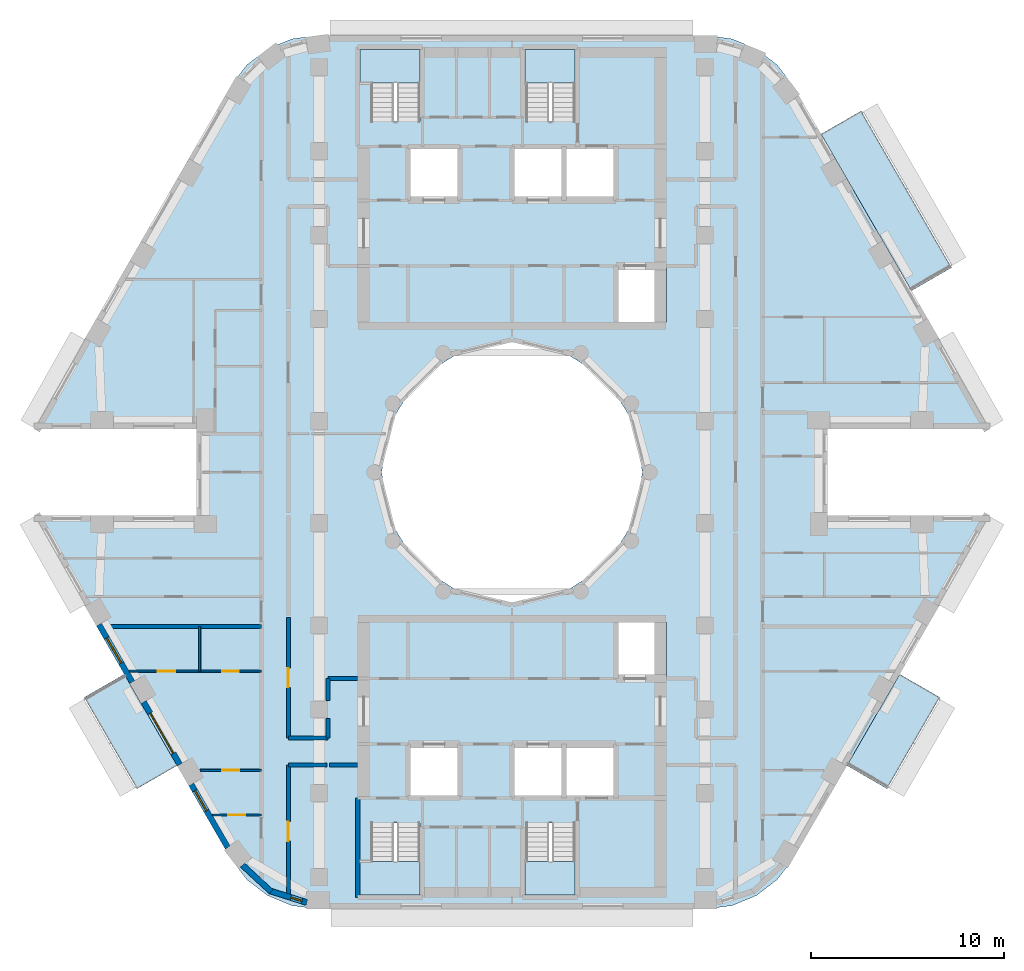
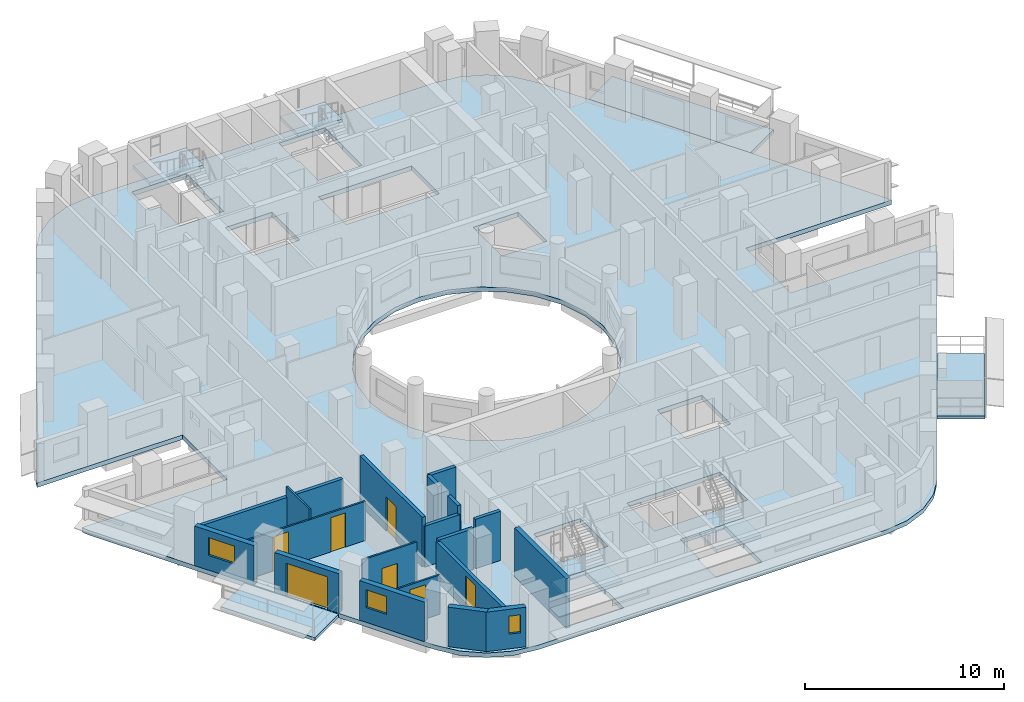
# One storey, part 2 of 18: 19 walls, 8 slabs, 7 doors, 3 windows, 10 openings, 4 elements without a shape of their own.
"""IFC4 building model written with IfcOpenShell, lengths in metres."""

from ifc_helpers import new_model, si_unit, direction, frame, frame_2d, origin, place, context, subcontext, project, spatial, polyline, rectangle, outline, extrude, material, layer, layer_set, type_object, element, fill, aggregate, save


model = new_model("IFC4")

# Units and contexts
model_context = context("Model", 3, precision=1e-05, world=origin(), true_north=direction((0.0, 1.0)))
body_context = subcontext(model_context, "Body", "Model", "MODEL_VIEW")
ifc_project = project(units=[si_unit("LENGTHUNIT", "METRE"), si_unit("AREAUNIT", "SQUARE_METRE"), si_unit("VOLUMEUNIT", "CUBIC_METRE"), si_unit("PLANEANGLEUNIT", "RADIAN"), si_unit("MASSUNIT", "GRAM", prefix="KILO")], contexts=[model_context])

# Site, building, storey
site_placement = place(None, origin())
site = spatial("IfcSite", under=ifc_project, at=site_placement, CompositionType="ELEMENT")
building_placement = place(site_placement, origin())
building = spatial("IfcBuilding", under=site, at=building_placement, Name="Nakaniwa Court", CompositionType="ELEMENT")
storey_placement = place(building_placement, frame((0.0, 0.0, 180.0)))
storey = spatial("IfcBuildingStorey", under=building, at=storey_placement, Name="L46", CompositionType="ELEMENT", Elevation=180.0)

# Slabs
ifc_material_1 = material(Name="Charcoal ceramic paver")
ifc_layer_1 = layer(ifc_material_1, 0.02, Name="Ceramic paver")
ifc_material_2 = material(Name="Cement sand screed")
ifc_layer_2 = layer(ifc_material_2, 0.03, Name="Falls screed")
ifc_material_3 = material(Name="Concrete C40/50", Category="concrete")
ifc_layer_3 = layer(ifc_material_3, 0.15, Name="Balcony slab")
ifc_layer_set_1 = layer_set([ifc_layer_1, ifc_layer_2, ifc_layer_3], Name="Concrete C40/50 balcony slab with ceramic paver finish")
slab_type_1 = type_object("IfcSlabType", Name="Balcony slab 200", PredefinedType="FLOOR", material=ifc_layer_set_1)
slab_1_placement = place(storey_placement, frame((0.0, 0.0, -0.25)))
element("IfcSlab", 1, at=slab_1_placement, inside=storey, type_object=slab_type_1, Name="L46 balcony 01", PredefinedType="FLOOR", context=body_context, shape_type="SweptSolid", body=[
    extrude(outline(polyline([(59.893798828125, 69.52490234375), (62.629150390625, 64.787353515625), (60.55078125, 63.58740234375), (57.815185546875, 68.324951171875), (59.893798828125, 69.52490234375)])), origin(), (0.0, 0.0, 1.0), 0.199951171875),
])
slab_2_placement = place(storey_placement, frame((0.0, 0.0, -0.25)))
element("IfcSlab", 2, at=slab_2_placement, inside=storey, type_object=slab_type_1, Name="L46 balcony 02", PredefinedType="FLOOR", context=body_context, shape_type="SweptSolid", body=[
    extrude(outline(polyline([(97.37109375, 64.787353515625), (100.106201171875, 69.52490234375), (102.184814453125, 68.324951171875), (99.449462890625, 63.58740234375), (97.37109375, 64.787353515625)])), origin(), (0.0, 0.0, 1.0), 0.199951171875),
])
slab_3_placement = place(storey_placement, frame((0.0, 0.0, -0.25)))
element("IfcSlab", 3, at=slab_3_placement, inside=storey, type_object=slab_type_1, Name="L46 balcony 03", PredefinedType="FLOOR", context=body_context, shape_type="SweptSolid", body=[
    extrude(outline(polyline([(100.71923828125, 89.41357421875), (96.02978515625, 97.53564453125), (98.108154296875, 98.735595703125), (102.797607421875, 90.613525390625), (100.71923828125, 89.41357421875)])), origin(), (0.0, 0.0, 1.0), 0.199951171875),
])
ifc_material_4 = material(Name="Concrete C80/100", Category="concrete")
ifc_layer_4 = layer(ifc_material_4, 0.27490234375)
ifc_layer_set_2 = layer_set([ifc_layer_4], Name="Concrete C80/100")
slab_type_2 = type_object("IfcSlabType", Name="Concrete C80/100 post tensioned floor slab 275", PredefinedType="FLOOR", material=ifc_layer_set_2)
slab_4_placement = place(storey_placement, frame((0.0, 0.0, -0.27490234375)))
element("IfcSlab", 4, at=slab_4_placement, inside=storey, type_object=slab_type_2, Name="FLOOR SLAB", PredefinedType="FLOOR", context=body_context, shape_type="SweptSolid", body=[
    extrude(outline(polyline([(96.349609375, 82.25), (104.7978515625, 82.25), (104.65283203125, 82.60009765625), (94.578125, 100.050048828125), (93.751708984375, 101.126953125), (92.6748046875, 101.953369140625), (91.420654296875, 102.472900390625), (90.07470703125, 102.64990234375), (69.92529296875, 102.64990234375), (68.579345703125, 102.472900390625), (67.3251953125, 101.953369140625), (66.248291015625, 101.126953125), (65.421875, 100.050048828125), (55.34716796875, 82.60009765625), (55.2021484375, 82.25), (63.650390625, 82.25), (63.650390625, 77.75), (55.2021484375, 77.75), (55.34716796875, 77.39990234375), (65.421875, 59.949951171875), (66.248291015625, 58.873046875), (67.3251953125, 58.046630859375), (68.579345703125, 57.527099609375), (69.92529296875, 57.35009765625), (90.07470703125, 57.35009765625), (91.420654296875, 57.527099609375), (92.6748046875, 58.046630859375), (93.751708984375, 58.873046875), (94.578125, 59.949951171875), (104.65283203125, 77.39990234375), (104.7978515625, 77.75), (96.349609375, 77.75), (96.349609375, 82.25)]), holes=[polyline([(81.501953125, 86.580810546875), (80.0, 86.75), (78.498046875, 86.580810546875), (77.0712890625, 86.08154296875), (75.79150390625, 85.27734375), (74.72265625, 84.20849609375), (73.91845703125, 82.9287109375), (73.419189453125, 81.501953125), (73.25, 80.0), (73.419189453125, 78.498046875), (73.91845703125, 77.0712890625), (74.72265625, 75.79150390625), (75.79150390625, 74.72265625), (77.0712890625, 73.91845703125), (78.498046875, 73.419189453125), (80.0, 73.25), (81.501953125, 73.419189453125), (82.9287109375, 73.91845703125), (84.20849609375, 74.72265625), (85.27734375, 75.79150390625), (86.08154296875, 77.0712890625), (86.580810546875, 78.498046875), (86.75, 80.0), (86.580810546875, 81.501953125), (86.08154296875, 82.9287109375), (85.27734375, 84.20849609375), (84.20849609375, 85.27734375), (82.9287109375, 86.08154296875), (81.501953125, 86.580810546875)]), polyline([(72.675048828125, 61.81005859375), (72.675048828125, 59.864990234375), (72.0849609375, 59.864990234375), (72.0849609375, 58.034912109375), (75.264892578125, 58.034912109375), (75.264892578125, 59.864990234375), (75.22509765625, 59.864990234375), (75.22509765625, 61.81005859375), (72.675048828125, 61.81005859375)]), polyline([(77.300048828125, 65.89990234375), (74.60009765625, 65.89990234375), (74.60009765625, 63.10009765625), (77.300048828125, 63.10009765625), (77.300048828125, 65.89990234375)]), polyline([(80.0, 65.89990234375), (80.0, 63.10009765625), (82.699951171875, 63.10009765625), (85.39990234375, 63.10009765625), (85.39990234375, 65.89990234375), (82.699951171875, 65.89990234375), (80.0, 65.89990234375)]), polyline([(77.300048828125, 96.89990234375), (74.60009765625, 96.89990234375), (74.60009765625, 94.10009765625), (77.300048828125, 94.10009765625), (77.300048828125, 96.89990234375)]), polyline([(80.0, 96.89990234375), (80.0, 94.10009765625), (82.699951171875, 94.10009765625), (85.39990234375, 94.10009765625), (85.39990234375, 96.89990234375), (82.699951171875, 96.89990234375), (80.0, 96.89990234375)]), polyline([(75.264892578125, 100.135009765625), (75.264892578125, 101.965087890625), (72.0849609375, 101.965087890625), (72.0849609375, 100.135009765625), (72.675048828125, 100.135009765625), (72.675048828125, 98.18994140625), (75.22509765625, 98.18994140625), (75.22509765625, 100.135009765625), (75.264892578125, 100.135009765625)]), polyline([(83.27490234375, 61.81005859375), (80.72509765625, 61.81005859375), (80.72509765625, 59.864990234375), (80.635009765625, 59.864990234375), (80.635009765625, 58.034912109375), (83.31494140625, 58.034912109375), (83.31494140625, 59.864990234375), (83.27490234375, 59.864990234375), (83.27490234375, 61.81005859375)]), polyline([(88.0, 72.199951171875), (85.39990234375, 72.199951171875), (85.39990234375, 69.300048828125), (88.0, 69.300048828125), (88.0, 72.199951171875)]), polyline([(88.0, 90.699951171875), (85.39990234375, 90.699951171875), (85.39990234375, 87.800048828125), (88.0, 87.800048828125), (88.0, 90.699951171875)]), polyline([(83.31494140625, 100.135009765625), (83.31494140625, 101.965087890625), (80.635009765625, 101.965087890625), (80.635009765625, 100.135009765625), (80.72509765625, 100.135009765625), (80.72509765625, 98.18994140625), (83.27490234375, 98.18994140625), (83.27490234375, 100.135009765625), (83.31494140625, 100.135009765625)])]), origin(), (0.0, 0.0, 1.0), 0.27490234375),
])

# Stair, slab
stair_type = type_object("IfcStairType", Name="Dog leg stair 1200 wide 18 risers", PredefinedType="HALF_TURN_STAIR", material=ifc_material_4)
stair_1_placement = place(storey_placement, origin())
stair_1 = element("IfcStair", 5, at=stair_1_placement, inside=storey, type_object=stair_type, Name="L46 Stair ST1", PredefinedType="HALF_TURN_STAIR")
ifc_layer_5 = layer(ifc_material_4, 0.199951171875)
ifc_layer_set_3 = layer_set([ifc_layer_5], Name="Concrete C80/100")
slab_type_3 = type_object("IfcSlabType", Name="Stair landing concrete", PredefinedType="LANDING", material=ifc_layer_set_3)
slab_5_placement = place(storey_placement, frame((0.0, 0.0, 1.449951171875)))
slab_5 = element("IfcSlab", 6, at=slab_5_placement, type_object=slab_type_3, Name="ST1 landing 1", PredefinedType="LANDING", context=body_context, shape_type="SweptSolid", body=[
    extrude(outline(polyline([(75.22509765625, 100.175048828125), (75.22509765625, 101.925048828125), (72.125, 101.925048828125), (72.125, 100.175048828125), (75.22509765625, 100.175048828125)])), origin(), (0.0, 0.0, 1.0), 0.199951171875),
])
aggregate(stair_1, [slab_5])

stair_2_placement = place(storey_placement, origin())
stair_2 = element("IfcStair", 7, at=stair_2_placement, inside=storey, type_object=stair_type, Name="L46 Stair ST2", PredefinedType="HALF_TURN_STAIR")
slab_6_placement = place(storey_placement, frame((0.0, 0.0, 1.449951171875)))
slab_6 = element("IfcSlab", 8, at=slab_6_placement, type_object=slab_type_3, Name="ST2 landing 1", PredefinedType="LANDING", context=body_context, shape_type="SweptSolid", body=[
    extrude(outline(polyline([(83.27490234375, 100.175048828125), (83.27490234375, 101.925048828125), (80.675048828125, 101.925048828125), (80.675048828125, 100.175048828125), (83.27490234375, 100.175048828125)])), origin(), (0.0, 0.0, 1.0), 0.199951171875),
])
aggregate(stair_2, [slab_6])

stair_3_placement = place(storey_placement, origin())
stair_3 = element("IfcStair", 9, at=stair_3_placement, inside=storey, type_object=stair_type, Name="L46 Stair ST3", PredefinedType="HALF_TURN_STAIR")
slab_7_placement = place(storey_placement, frame((0.0, 0.0, 1.449951171875)))
slab_7 = element("IfcSlab", 10, at=slab_7_placement, type_object=slab_type_3, Name="ST3 landing 1", PredefinedType="LANDING", context=body_context, shape_type="SweptSolid", body=[
    extrude(outline(polyline([(75.22509765625, 58.074951171875), (75.22509765625, 59.824951171875), (72.125, 59.824951171875), (72.125, 58.074951171875), (75.22509765625, 58.074951171875)])), origin(), (0.0, 0.0, 1.0), 0.199951171875),
])
aggregate(stair_3, [slab_7])

stair_4_placement = place(storey_placement, origin())
stair_4 = element("IfcStair", 11, at=stair_4_placement, inside=storey, type_object=stair_type, Name="L46 Stair ST4", PredefinedType="HALF_TURN_STAIR")
slab_8_placement = place(storey_placement, frame((0.0, 0.0, 1.449951171875)))
slab_8 = element("IfcSlab", 12, at=slab_8_placement, type_object=slab_type_3, Name="ST4 landing 1", PredefinedType="LANDING", context=body_context, shape_type="SweptSolid", body=[
    extrude(outline(polyline([(83.27490234375, 58.074951171875), (83.27490234375, 59.824951171875), (80.675048828125, 59.824951171875), (80.675048828125, 58.074951171875), (83.27490234375, 58.074951171875)])), origin(), (0.0, 0.0, 1.0), 0.199951171875),
])
aggregate(stair_4, [slab_8])

# Walls
ifc_material_5 = material(Name="Acoustic double stud partition")
ifc_layer_6 = layer(ifc_material_5, 0.199951171875)
ifc_layer_set_4 = layer_set([ifc_layer_6], Name="Acoustic double stud partition")
wall_type_1 = type_object("IfcWallType", Name="Acoustic double stud partition 200", PredefinedType="PARTITIONING", material=ifc_layer_set_4)
wall_1_placement = place(storey_placement, frame((68.39990234375, 64.824951171875, 0.0), z_axis=(0.0, 0.0, 1.0), x_axis=(1.0, 0.0, 0.0)))
element("IfcWall", 13, at=wall_1_placement, inside=storey, type_object=wall_type_1, Name="Partition PW-077", PredefinedType="PARTITIONING", context=body_context, shape_type="SweptSolid", body=[
    extrude(rectangle(XDim=2.012939453125, YDim=0.199951171875, at=frame_2d((1.00634765625, 0.0))), origin(), (0.0, 0.0, 1.0), 2.5048828125),
])
wall_2_placement = place(storey_placement, frame((70.527099609375, 64.824951171875, 0.0), z_axis=(0.0, 0.0, 1.0), x_axis=(1.0, 0.0, 0.0)))
element("IfcWall", 14, at=wall_2_placement, inside=storey, type_object=wall_type_1, Name="Partition PW-078", PredefinedType="PARTITIONING", context=body_context, shape_type="SweptSolid", body=[
    extrude(rectangle(XDim=1.472900390625, YDim=0.199951171875, at=frame_2d((0.736328125, 0.0))), origin(), (0.0, 0.0, 1.0), 3.02490234375),
])
wall_3_placement = place(storey_placement, frame((70.449951171875, 69.300048828125, 0.0), z_axis=(0.0, 0.0, 1.0), x_axis=(1.0, 0.0, 0.0)))
element("IfcWall", 15, at=wall_3_placement, inside=storey, type_object=wall_type_1, Name="Partition PW-082", PredefinedType="PARTITIONING", context=body_context, shape_type="SweptSolid", body=[
    extrude(rectangle(XDim=1.550048828125, YDim=0.199951171875, at=frame_2d((0.77490234375, 0.0))), origin(), (0.0, 0.0, 1.0), 3.02490234375),
])
wall_4_placement = place(storey_placement, frame((68.39990234375, 66.22509765625, 0.0), z_axis=(0.0, 0.0, 1.0), x_axis=(1.0, 0.0, 0.0)))
element("IfcWall", 16, at=wall_4_placement, inside=storey, type_object=wall_type_1, Name="Partition PW-088", PredefinedType="PARTITIONING", context=body_context, shape_type="SweptSolid", body=[
    extrude(rectangle(XDim=2.050048828125, YDim=0.199951171875, at=frame_2d((1.02490234375, 0.0))), origin(), (0.0, 0.0, 1.0), 2.5048828125),
])

# Wall, opening, door
wall_5_placement = place(storey_placement, frame((68.39990234375, 64.824951171875, 0.0), z_axis=(0.0, 0.0, 1.0), x_axis=(0.0, -1.0, 0.0)))
wall_5 = element("IfcWall", 17, at=wall_5_placement, inside=storey, type_object=wall_type_1, Name="Partition PW-098", PredefinedType="PARTITIONING", context=body_context, shape_type="SweptSolid", body=[
    extrude(rectangle(XDim=6.898681640625, YDim=0.199951171875, at=frame_2d((3.44921875, 0.0))), origin(), (0.0, 0.0, 1.0), 2.405029296875),
])
opening_1_placement = place(wall_5_placement, frame((2.949951171875, 0.0, 0.0)))
opening_1 = element("IfcOpeningElement", 18, at=opening_1_placement, cuts=wall_5, Name="Opening D-02-04", PredefinedType="OPENING", context=body_context, shape_type="SweptSolid", body=[
    extrude(rectangle(XDim=1.0, YDim=2.10009765625, at=frame_2d((0.5, 1.050048828125))), frame((0.0, 0.10986328125, 0.0), z_axis=(0.0, -1.0, 0.0), x_axis=(1.0, 0.0, 0.0)), (0.0, 0.0, 1.0), 0.219970703125),
])
ifc_material_6 = material(Name="Solid core timber door set, black veneer", Category="wood")
door_type_1 = type_object("IfcDoorType", Name="Internal door 1000", OperationType="NOTDEFINED", PredefinedType="DOOR", material=ifc_material_6)
door_1_placement = place(opening_1_placement, origin())
door_1 = element("IfcDoor", 19, at=door_1_placement, inside=storey, type_object=door_type_1, Name="Door D-02-04 L46-044", OperationType="SINGLE_SWING_LEFT", OverallHeight=2.10009765625, OverallWidth=1.0, PredefinedType="DOOR", context=body_context, shape_type="SweptSolid", body=[
    extrude(rectangle(XDim=1.0, YDim=2.10009765625, at=frame_2d((0.5, 1.050048828125))), frame((0.0, 0.02490234375, 0.0), z_axis=(0.0, -1.0, 0.0), x_axis=(1.0, 0.0, 0.0)), (0.0, 0.0, 1.0), 0.050048828125),
])
fill(opening_1, door_1)

wall_6_placement = place(storey_placement, frame((68.39990234375, 72.462890625, 0.0), z_axis=(0.0, 0.0, 1.0), x_axis=(0.0, -1.0, 0.0)))
wall_6 = element("IfcWall", 20, at=wall_6_placement, inside=storey, type_object=wall_type_1, Name="Partition PW-099", PredefinedType="PARTITIONING", context=body_context, shape_type="SweptSolid", body=[
    extrude(rectangle(XDim=6.23779296875, YDim=0.199951171875, at=frame_2d((3.118896484375, 0.0))), origin(), (0.0, 0.0, 1.0), 3.02490234375),
])
opening_2_placement = place(wall_6_placement, frame((2.6201171875, 0.0, 0.0)))
opening_2 = element("IfcOpeningElement", 21, at=opening_2_placement, cuts=wall_6, Name="Opening D-02-05", PredefinedType="OPENING", context=body_context, shape_type="SweptSolid", body=[
    extrude(rectangle(XDim=1.0, YDim=2.10009765625, at=frame_2d((0.5, 1.050048828125))), frame((0.0, 0.10986328125, 0.0), z_axis=(0.0, -1.0, 0.0), x_axis=(1.0, 0.0, 0.0)), (0.0, 0.0, 1.0), 0.219970703125),
])
door_2_placement = place(opening_2_placement, origin())
door_2 = element("IfcDoor", 22, at=door_2_placement, inside=storey, type_object=door_type_1, Name="Door D-02-05 L46-050", OperationType="SINGLE_SWING_LEFT", OverallHeight=2.10009765625, OverallWidth=1.0, PredefinedType="DOOR", context=body_context, shape_type="SweptSolid", body=[
    extrude(rectangle(XDim=1.0, YDim=2.10009765625, at=frame_2d((0.5, 1.050048828125))), frame((0.0, 0.02490234375, 0.0), z_axis=(0.0, -1.0, 0.0), x_axis=(1.0, 0.0, 0.0)), (0.0, 0.0, 1.0), 0.050048828125),
])
fill(opening_2, door_2)

# Walls
wall_7_placement = place(storey_placement, frame((70.449951171875, 66.22509765625, 0.0), z_axis=(0.0, 0.0, 1.0), x_axis=(0.0, 1.0, 0.0)))
element("IfcWall", 23, at=wall_7_placement, inside=storey, type_object=wall_type_1, Name="Partition PW-105", PredefinedType="PARTITIONING", context=body_context, shape_type="SweptSolid", body=[
    extrude(rectangle(XDim=1.0078125, YDim=0.199951171875, at=frame_2d((0.50390625, 0.0))), origin(), (0.0, 0.0, 1.0), 3.02490234375),
])
wall_8_placement = place(storey_placement, frame((70.449951171875, 68.167236328125, 0.0), z_axis=(0.0, 0.0, 1.0), x_axis=(0.0, 1.0, 0.0)))
element("IfcWall", 24, at=wall_8_placement, inside=storey, type_object=wall_type_1, Name="Partition PW-106", PredefinedType="PARTITIONING", context=body_context, shape_type="SweptSolid", body=[
    extrude(rectangle(XDim=1.1328125, YDim=0.199951171875, at=frame_2d((0.56640625, 0.0))), origin(), (0.0, 0.0, 1.0), 3.02490234375),
])
wall_9_placement = place(storey_placement, frame((58.811279296875, 72.0, 0.0), z_axis=(0.0, 0.0, 1.0), x_axis=(1.0, 0.0, 0.0)))
element("IfcWall", 25, at=wall_9_placement, inside=storey, type_object=wall_type_1, Name="Partition PW-119", PredefinedType="PARTITIONING", context=body_context, shape_type="SweptSolid", body=[
    extrude(rectangle(XDim=8.187744140625, YDim=0.199951171875, at=frame_2d((4.09375, 0.0))), origin(), (0.0, 0.0, 1.0), 2.405029296875),
])

# Wall, opening, window
ifc_material_7 = material(Name="Charcoal ceramic cladding")
ifc_layer_7 = layer(ifc_material_7, 0.02, Name="Ceramic cladding")
ifc_material_8 = material(Name="Ventilated air cavity")
ifc_layer_8 = layer(ifc_material_8, 0.04, ventilated=True, Name="Ventilated cavity")
ifc_material_9 = material(Name="Mineral wool insulation")
ifc_layer_9 = layer(ifc_material_9, 0.1, Name="Insulation")
ifc_material_10 = material(Name="Cement bonded sheathing board")
ifc_layer_10 = layer(ifc_material_10, 0.012, Name="Sheathing")
ifc_material_11 = material(Name="Cold-formed galvanised stud frame with mineral wool infill")
ifc_layer_11 = layer(ifc_material_11, 0.1, Name="Stud frame")
ifc_material_12 = material(Name="Fire-rated gypsum plasterboard lining")
ifc_layer_12 = layer(ifc_material_12, 0.028, Name="Lining")
ifc_layer_set_5 = layer_set([ifc_layer_7, ifc_layer_8, ifc_layer_9, ifc_layer_10, ifc_layer_11, ifc_layer_12], Name="Charcoal ceramic faced external wall system")
wall_type_2 = type_object("IfcWallType", Name="Black ceramic faced external wall 300", PredefinedType="SOLIDWALL", material=ifc_layer_set_5)
wall_10_placement = place(storey_placement, frame((58.579345703125, 72.101806640625, 0.0), z_axis=(0.0, 0.0, 1.0), x_axis=(0.499955427682, -0.866051136095, 0.0)))
wall_10 = element("IfcWall", 26, at=wall_10_placement, inside=storey, type_object=wall_type_2, Name="L46 external wall 21", PredefinedType="SOLIDWALL", context=body_context, shape_type="SweptSolid", body=[
    extrude(rectangle(XDim=3.447021484375, YDim=0.300048828125, at=frame_2d((1.7236328125, 0.0))), origin(), (0.0, 0.0, 1.0), 2.425048828125),
])
opening_3_placement = place(wall_10_placement, frame((0.80224609375, 0.0, 0.89990234375)))
opening_3 = element("IfcOpeningElement", 27, at=opening_3_placement, cuts=wall_10, Name="Opening W5.23", PredefinedType="OPENING", context=body_context, shape_type="SweptSolid", body=[
    extrude(rectangle(XDim=1.5, YDim=1.10009765625, at=frame_2d((0.75, 0.550048828125))), frame((0.0, 0.159912109375, 0.0), z_axis=(0.0, -1.0, 0.0), x_axis=(1.0, 0.0, 0.0)), (0.0, 0.0, 1.0), 0.320068359375),
])
ifc_material_13 = material(Name="Black anodised aluminium frame with dark low-E laminated double glazing", Category="aluminium")
window_type_1 = type_object("IfcWindowType", Name="Dark glass window 1500x1100 sill 900", PartitioningType="SINGLE_PANEL", PredefinedType="WINDOW", material=ifc_material_13)
window_1_placement = place(opening_3_placement, origin())
window_1 = element("IfcWindow", 28, at=window_1_placement, inside=storey, type_object=window_type_1, Name="L46 habitable room window 21-1", OverallHeight=1.10009765625, OverallWidth=1.5, PartitioningType="SINGLE_PANEL", PredefinedType="WINDOW", context=body_context, shape_type="SweptSolid", body=[
    extrude(rectangle(XDim=1.5, YDim=1.10009765625, at=frame_2d((0.75, 0.550048828125))), frame((0.0, 0.030029296875, 0.0), z_axis=(0.0, -1.0, 0.0), x_axis=(1.0, 0.0, 0.0)), (0.0, 0.0, 1.0), 0.06005859375),
])
fill(opening_3, window_1)

# Wall, opening, door
wall_11_placement = place(storey_placement, frame((60.898681640625, 68.083984375, 0.0), z_axis=(0.0, 0.0, 1.0), x_axis=(0.500059225181, -0.86599120741, 0.0)))
wall_11 = element("IfcWall", 29, at=wall_11_placement, inside=storey, type_object=wall_type_2, Name="L46 external wall 22", PredefinedType="SOLIDWALL", context=body_context, shape_type="SweptSolid", body=[
    extrude(rectangle(XDim=3.744140625, YDim=0.300048828125, at=frame_2d((1.8720703125, 0.0))), origin(), (0.0, 0.0, 1.0), 2.425048828125),
])
opening_4_placement = place(wall_11_placement, frame((0.672119140625, 0.0, 0.0)))
opening_4 = element("IfcOpeningElement", 30, at=opening_4_placement, cuts=wall_11, Name="Opening XD13.02", PredefinedType="OPENING", context=body_context, shape_type="SweptSolid", body=[
    extrude(rectangle(XDim=2.39990234375, YDim=2.0, at=frame_2d((1.199951171875, 1.0))), frame((0.0, 0.159912109375, 0.0), z_axis=(0.0, -1.0, 0.0), x_axis=(1.0, 0.0, 0.0)), (0.0, 0.0, 1.0), 0.320068359375),
])
ifc_material_14 = material(Name="Black powder-coated aluminium frame with dark laminated glass", Category="aluminium")
door_type_2 = type_object("IfcDoorType", Name="Balcony sliding door 2400x2000", OperationType="DOUBLE_DOOR_SLIDING", PredefinedType="DOOR", material=ifc_material_14)
door_3_placement = place(opening_4_placement, origin())
door_3 = element("IfcDoor", 31, at=door_3_placement, inside=storey, type_object=door_type_2, Name="L46 balcony sliding door 01", OperationType="DOUBLE_DOOR_SLIDING", OverallHeight=2.0, OverallWidth=2.39990234375, PredefinedType="DOOR", context=body_context, shape_type="SweptSolid", body=[
    extrude(rectangle(XDim=2.39990234375, YDim=2.0, at=frame_2d((1.199951171875, 1.0))), frame((0.0, 0.02490234375, 0.0), z_axis=(0.0, -1.0, 0.0), x_axis=(1.0, 0.0, 0.0)), (0.0, 0.0, 1.0), 0.050048828125),
])
fill(opening_4, door_3)

# Wall, opening, window
wall_12_placement = place(storey_placement, frame((63.366943359375, 63.809326171875, 0.0), z_axis=(0.0, 0.0, 1.0), x_axis=(0.499961087031, -0.866047869032, 0.0)))
wall_12 = element("IfcWall", 32, at=wall_12_placement, inside=storey, type_object=wall_type_2, Name="L46 external wall 23", PredefinedType="SOLIDWALL", context=body_context, shape_type="SweptSolid", body=[
    extrude(rectangle(XDim=3.778564453125, YDim=0.300048828125, at=frame_2d((1.88916015625, 0.0))), origin(), (0.0, 0.0, 1.0), 2.425048828125),
])
opening_5_placement = place(wall_12_placement, frame((0.375732421875, 0.0, 0.89990234375)))
opening_5 = element("IfcOpeningElement", 33, at=opening_5_placement, cuts=wall_12, Name="Opening W6.24", PredefinedType="OPENING", context=body_context, shape_type="SweptSolid", body=[
    extrude(rectangle(XDim=1.199951171875, YDim=1.10009765625, at=frame_2d((0.60009765625, 0.550048828125))), frame((0.0, 0.159912109375, 0.0), z_axis=(0.0, -1.0, 0.0), x_axis=(1.0, 0.0, 0.0)), (0.0, 0.0, 1.0), 0.320068359375),
])
window_type_2 = type_object("IfcWindowType", Name="Dark glass window 1200x1100 sill 900", PartitioningType="SINGLE_PANEL", PredefinedType="WINDOW", material=ifc_material_13)
window_2_placement = place(opening_5_placement, origin())
window_2 = element("IfcWindow", 34, at=window_2_placement, inside=storey, type_object=window_type_2, Name="L46 habitable room window 23-0", OverallHeight=1.10009765625, OverallWidth=1.199951171875, PartitioningType="SINGLE_PANEL", PredefinedType="WINDOW", context=body_context, shape_type="SweptSolid", body=[
    extrude(rectangle(XDim=1.199951171875, YDim=1.10009765625, at=frame_2d((0.60009765625, 0.550048828125))), frame((0.0, 0.030029296875, 0.0), z_axis=(0.0, -1.0, 0.0), x_axis=(1.0, 0.0, 0.0)), (0.0, 0.0, 1.0), 0.06005859375),
])
fill(opening_5, window_2)

# Wall
wall_13_placement = place(storey_placement, frame((66.0224609375, 59.622314453125, 0.0), z_axis=(0.0, 0.0, 1.0), x_axis=(0.734627852992, -0.678470277616, 0.0)))
element("IfcWall", 35, at=wall_13_placement, inside=storey, type_object=wall_type_2, Name="L46 external wall 24", PredefinedType="SOLIDWALL", context=body_context, shape_type="SweptSolid", body=[
    extrude(rectangle(XDim=2.02587890625, YDim=0.300048828125, at=frame_2d((1.012939453125, 0.0))), origin(), (0.0, 0.0, 1.0), 2.425048828125),
])

# Wall, opening, window
wall_14_placement = place(storey_placement, frame((67.40576171875, 58.3017578125, 0.0), z_axis=(0.0, 0.0, 1.0), x_axis=(0.953537608367, -0.301274010545, 0.0)))
wall_14 = element("IfcWall", 36, at=wall_14_placement, inside=storey, type_object=wall_type_2, Name="L46 external wall 25", PredefinedType="SOLIDWALL", context=body_context, shape_type="SweptSolid", body=[
    extrude(rectangle(XDim=2.0478515625, YDim=0.300048828125, at=frame_2d((1.02392578125, 0.0))), origin(), (0.0, 0.0, 1.0), 2.425048828125),
])
opening_6_placement = place(wall_14_placement, frame((1.1796875, 0.0, 0.89990234375)))
opening_6 = element("IfcOpeningElement", 37, at=opening_6_placement, cuts=wall_14, Name="Opening W8.25", PredefinedType="OPENING", context=body_context, shape_type="SweptSolid", body=[
    extrude(rectangle(XDim=0.60009765625, YDim=1.10009765625, at=frame_2d((0.300048828125, 0.550048828125))), frame((0.0, 0.159912109375, 0.0), z_axis=(0.0, -1.0, 0.0), x_axis=(1.0, 0.0, 0.0)), (0.0, 0.0, 1.0), 0.320068359375),
])
window_type_3 = type_object("IfcWindowType", Name="Dark glass window 600x1100 sill 900", PartitioningType="SINGLE_PANEL", PredefinedType="WINDOW", material=ifc_material_13)
window_3_placement = place(opening_6_placement, origin())
window_3 = element("IfcWindow", 38, at=window_3_placement, inside=storey, type_object=window_type_3, Name="L46 habitable room window 25-1", OverallHeight=1.10009765625, OverallWidth=0.60009765625, PartitioningType="SINGLE_PANEL", PredefinedType="WINDOW", context=body_context, shape_type="SweptSolid", body=[
    extrude(rectangle(XDim=0.60009765625, YDim=1.10009765625, at=frame_2d((0.300048828125, 0.550048828125))), frame((0.0, 0.030029296875, 0.0), z_axis=(0.0, -1.0, 0.0), x_axis=(1.0, 0.0, 0.0)), (0.0, 0.0, 1.0), 0.06005859375),
])
fill(opening_6, window_3)

# Wall
ifc_layer_13 = layer(ifc_material_4, 0.25)
ifc_layer_set_6 = layer_set([ifc_layer_13], Name="Concrete C80/100")
wall_type_3 = type_object("IfcWallType", Name="Concrete core wall 250 C80", PredefinedType="SHEAR", material=ifc_layer_set_6)
wall_15_placement = place(storey_placement, frame((72.0, 57.949951171875, -0.27490234375), z_axis=(0.0, 0.0, 1.0), x_axis=(0.0, 1.0, 0.0)))
element("IfcWall", 39, at=wall_15_placement, inside=storey, type_object=wall_type_3, Name="Core wall SW-60", PredefinedType="SHEAR", context=body_context, shape_type="SweptSolid", body=[
    extrude(rectangle(XDim=5.150146484375, YDim=0.25, at=frame_2d((2.5751953125, 0.0))), origin(), (0.0, 0.0, 1.0), 3.2998046875),
])

# Wall, opening, door
ifc_material_15 = material(Name="Single stud plasterboard partition")
ifc_layer_14 = layer(ifc_material_15, 0.10009765625)
ifc_layer_set_7 = layer_set([ifc_layer_14], Name="Single stud plasterboard partition")
wall_type_4 = type_object("IfcWallType", Name="Single stud plasterboard partition 100", PredefinedType="PARTITIONING", material=ifc_layer_set_7)
wall_16_placement = place(storey_placement, frame((64.454833984375, 62.22509765625, 0.0), z_axis=(0.0, 0.0, 1.0), x_axis=(1.0, 0.0, 0.0)))
wall_16 = element("IfcWall", 40, at=wall_16_placement, inside=storey, type_object=wall_type_4, Name="Partition PW-113", PredefinedType="PARTITIONING", context=body_context, shape_type="SweptSolid", body=[
    extrude(rectangle(XDim=2.544189453125, YDim=0.10009765625, at=frame_2d((1.27197265625, 0.0))), origin(), (0.0, 0.0, 1.0), 2.405029296875),
])
opening_7_placement = place(wall_16_placement, frame((0.822021484375, 0.0, 0.0)))
opening_7 = element("IfcOpeningElement", 41, at=opening_7_placement, cuts=wall_16, Name="Opening D-33-09", PredefinedType="OPENING", context=body_context, shape_type="SweptSolid", body=[
    extrude(rectangle(XDim=0.89990234375, YDim=2.10009765625, at=frame_2d((0.449951171875, 1.050048828125))), frame((0.0, 0.06005859375, 0.0), z_axis=(0.0, -1.0, 0.0), x_axis=(1.0, 0.0, 0.0)), (0.0, 0.0, 1.0), 0.1201171875),
])
door_type_3 = type_object("IfcDoorType", Name="Internal door 900", OperationType="NOTDEFINED", PredefinedType="DOOR", material=ifc_material_6)
door_4_placement = place(opening_7_placement, origin())
door_4 = element("IfcDoor", 42, at=door_4_placement, inside=storey, type_object=door_type_3, Name="Door D-33-09 L46-046", OperationType="SINGLE_SWING_LEFT", OverallHeight=2.10009765625, OverallWidth=0.89990234375, PredefinedType="DOOR", context=body_context, shape_type="SweptSolid", body=[
    extrude(rectangle(XDim=0.89990234375, YDim=2.10009765625, at=frame_2d((0.449951171875, 1.050048828125))), frame((0.0, 0.02490234375, 0.0), z_axis=(0.0, -1.0, 0.0), x_axis=(1.0, 0.0, 0.0)), (0.0, 0.0, 1.0), 0.050048828125),
])
fill(opening_7, door_4)

wall_17_placement = place(storey_placement, frame((63.833984375, 64.5400390625, 0.0), z_axis=(0.0, 0.0, 1.0), x_axis=(1.0, 0.0, 0.0)))
wall_17 = element("IfcWall", 43, at=wall_17_placement, inside=storey, type_object=wall_type_4, Name="Partition PW-115", PredefinedType="PARTITIONING", context=body_context, shape_type="SweptSolid", body=[
    extrude(rectangle(XDim=3.1650390625, YDim=0.10009765625, at=frame_2d((1.58251953125, 0.0))), origin(), (0.0, 0.0, 1.0), 3.02490234375),
])
opening_8_placement = place(wall_17_placement, frame((1.132080078125, 0.0, 0.0)))
opening_8 = element("IfcOpeningElement", 44, at=opening_8_placement, cuts=wall_17, Name="Opening D-33-10", PredefinedType="OPENING", context=body_context, shape_type="SweptSolid", body=[
    extrude(rectangle(XDim=0.89990234375, YDim=2.10009765625, at=frame_2d((0.449951171875, 1.050048828125))), frame((0.0, 0.06005859375, 0.0), z_axis=(0.0, -1.0, 0.0), x_axis=(1.0, 0.0, 0.0)), (0.0, 0.0, 1.0), 0.1201171875),
])
door_5_placement = place(opening_8_placement, origin())
door_5 = element("IfcDoor", 45, at=door_5_placement, inside=storey, type_object=door_type_3, Name="Door D-33-10 L46-047", OperationType="SINGLE_SWING_RIGHT", OverallHeight=2.10009765625, OverallWidth=0.89990234375, PredefinedType="DOOR", context=body_context, shape_type="SweptSolid", body=[
    extrude(rectangle(XDim=0.89990234375, YDim=2.10009765625, at=frame_2d((0.449951171875, 1.050048828125))), frame((0.0, 0.02490234375, 0.0), z_axis=(0.0, -1.0, 0.0), x_axis=(1.0, 0.0, 0.0)), (0.0, 0.0, 1.0), 0.050048828125),
])
fill(opening_8, door_5)

# Wall, openings, doors
wall_18_placement = place(storey_placement, frame((60.147705078125, 69.68505859375, 0.0), z_axis=(0.0, 0.0, 1.0), x_axis=(1.0, 0.0, 0.0)))
wall_18 = element("IfcWall", 46, at=wall_18_placement, inside=storey, type_object=wall_type_4, Name="Partition PW-117", PredefinedType="PARTITIONING", context=body_context, shape_type="SweptSolid", body=[
    extrude(rectangle(XDim=6.851318359375, YDim=0.10009765625, at=frame_2d((3.42578125, 0.0))), origin(), (0.0, 0.0, 1.0), 2.405029296875),
])
opening_9_placement = place(wall_18_placement, frame((4.825927734375, 0.0, 0.0)))
opening_9 = element("IfcOpeningElement", 47, at=opening_9_placement, cuts=wall_18, Name="Opening D-03-04", PredefinedType="OPENING", context=body_context, shape_type="SweptSolid", body=[
    extrude(rectangle(XDim=0.85009765625, YDim=2.10009765625, at=frame_2d((0.425048828125, 1.050048828125))), frame((0.0, 0.06005859375, 0.0), z_axis=(0.0, -1.0, 0.0), x_axis=(1.0, 0.0, 0.0)), (0.0, 0.0, 1.0), 0.1201171875),
])
opening_10_placement = place(wall_18_placement, frame((1.47607421875, 0.0, 0.0)))
opening_10 = element("IfcOpeningElement", 48, at=opening_10_placement, cuts=wall_18, Name="Opening D-33-11", PredefinedType="OPENING", context=body_context, shape_type="SweptSolid", body=[
    extrude(rectangle(XDim=0.89990234375, YDim=2.10009765625, at=frame_2d((0.449951171875, 1.050048828125))), frame((0.0, 0.06005859375, 0.0), z_axis=(0.0, -1.0, 0.0), x_axis=(1.0, 0.0, 0.0)), (0.0, 0.0, 1.0), 0.1201171875),
])
ifc_material_16 = material(Name="Moisture sealed timber door set", Category="wood")
door_type_4 = type_object("IfcDoorType", Name="Bathroom door 850", OperationType="NOTDEFINED", PredefinedType="DOOR", material=ifc_material_16)
door_6_placement = place(opening_9_placement, origin())
door_6 = element("IfcDoor", 49, at=door_6_placement, inside=storey, type_object=door_type_4, Name="Door D-03-04 L46-048", OperationType="SINGLE_SWING_LEFT", OverallHeight=2.10009765625, OverallWidth=0.85009765625, PredefinedType="DOOR", context=body_context, shape_type="SweptSolid", body=[
    extrude(rectangle(XDim=0.85009765625, YDim=2.10009765625, at=frame_2d((0.425048828125, 1.050048828125))), frame((0.0, 0.02490234375, 0.0), z_axis=(0.0, -1.0, 0.0), x_axis=(1.0, 0.0, 0.0)), (0.0, 0.0, 1.0), 0.050048828125),
])
fill(opening_9, door_6)
door_7_placement = place(opening_10_placement, origin())
door_7 = element("IfcDoor", 50, at=door_7_placement, inside=storey, type_object=door_type_3, Name="Door D-33-11 L46-049", OperationType="SINGLE_SWING_RIGHT", OverallHeight=2.10009765625, OverallWidth=0.89990234375, PredefinedType="DOOR", context=body_context, shape_type="SweptSolid", body=[
    extrude(rectangle(XDim=0.89990234375, YDim=2.10009765625, at=frame_2d((0.449951171875, 1.050048828125))), frame((0.0, 0.02490234375, 0.0), z_axis=(0.0, -1.0, 0.0), x_axis=(1.0, 0.0, 0.0)), (0.0, 0.0, 1.0), 0.050048828125),
])
fill(opening_10, door_7)

# Wall
wall_19_placement = place(storey_placement, frame((63.799072265625, 69.684814453125, 0.0), z_axis=(0.0, 0.0, 1.0), x_axis=(0.0, 1.0, 0.0)))
element("IfcWall", 51, at=wall_19_placement, inside=storey, type_object=wall_type_4, Name="Partition PW-133", PredefinedType="PARTITIONING", context=body_context, shape_type="SweptSolid", body=[
    extrude(rectangle(XDim=2.315185546875, YDim=0.10009765625, at=frame_2d((1.15771484375, 0.0))), origin(), (0.0, 0.0, 1.0), 3.02490234375),
])

save(model, "model.ifc")
